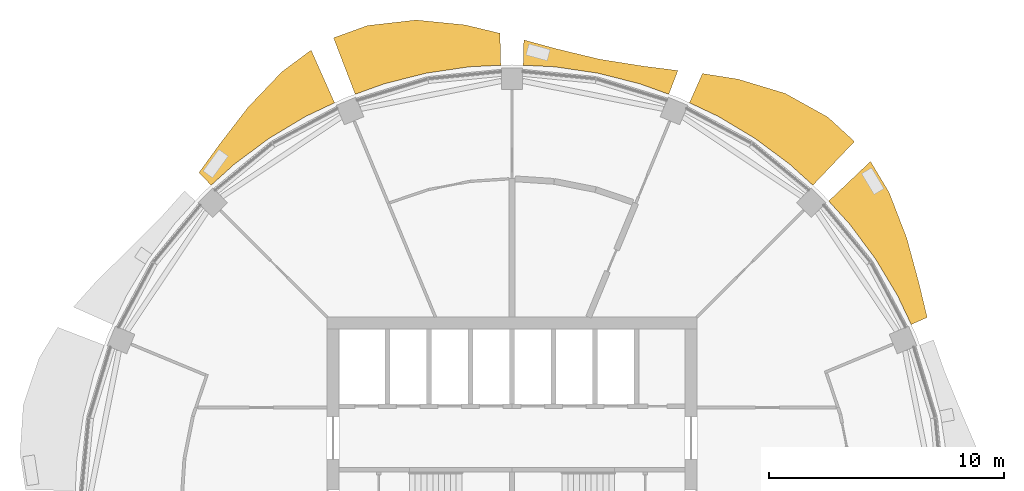
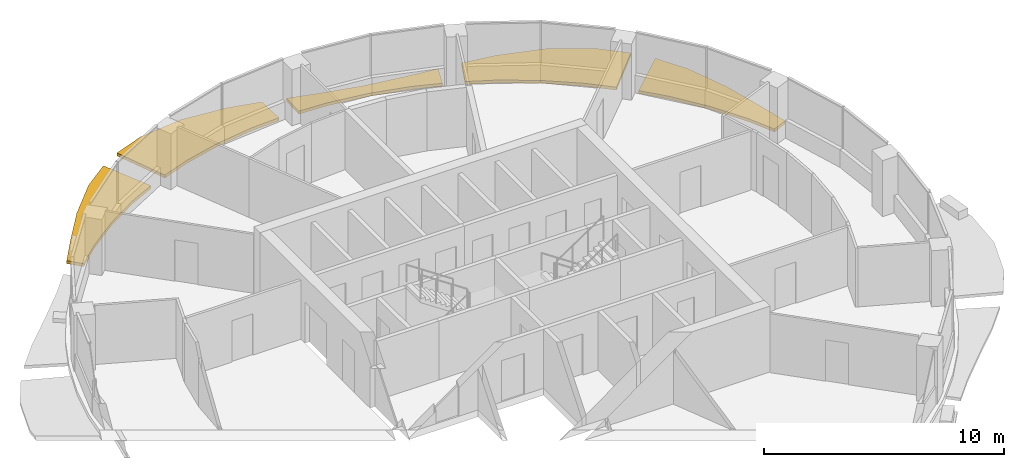
# One storey, part 14 of 15: 5 shading devices.
"""IFC4 building model written with IfcOpenShell, lengths in metres."""

from ifc_helpers import new_model, si_unit, direction, frame, origin, place, context, subcontext, project, spatial, polyline, outline, extrude, material, type_object, element, save


model = new_model("IFC4")

# Units and contexts
model_context = context("Model", 3, precision=1e-05, world=origin(), true_north=direction((0.0, 1.0)))
body_context = subcontext(model_context, "Body", "Model", "MODEL_VIEW")
ifc_project = project(units=[si_unit("LENGTHUNIT", "METRE"), si_unit("AREAUNIT", "SQUARE_METRE"), si_unit("VOLUMEUNIT", "CUBIC_METRE"), si_unit("PLANEANGLEUNIT", "RADIAN"), si_unit("MASSUNIT", "GRAM", prefix="KILO")], contexts=[model_context])

# Site, building, storey
site_placement = place(None, origin())
site = spatial("IfcSite", under=ifc_project, at=site_placement, CompositionType="ELEMENT")
building_placement = place(site_placement, origin())
building = spatial("IfcBuilding", under=site, at=building_placement, Name="Polderwave Tower", CompositionType="ELEMENT")
storey_placement = place(building_placement, frame((0.0, 0.0, 180.949951171875)))
storey = spatial("IfcBuildingStorey", under=building, at=storey_placement, Name="L48", CompositionType="ELEMENT", Elevation=180.949951171875)

# Shading devices
ifc_material = material(Name="Terracotta", Category="masonry")
shading_device_type = type_object("IfcShadingDeviceType", Name="Terracotta sunshade band", PredefinedType="USERDEFINED", material=ifc_material)
shading_device_1_placement = place(storey_placement, frame((0.0, 0.0, -0.349853515625)))
element("IfcShadingDevice", 1, at=shading_device_1_placement, inside=storey, type_object=shading_device_type, Name="Sunshade band L48 2", ObjectType="SUNSHADE", PredefinedType="USERDEFINED", context=body_context, shape_type="SweptSolid", body=[
    extrude(outline(polyline([(16.998779296875, 7.556640625), (16.42138671875, 8.77734375), (15.48193359375, 10.3447265625), (14.3935546875, 11.8125), (13.486572265625, 12.81298828125), (15.265625, 14.503173828125), (16.05908203125, 13.17919921875), (16.8115234375, 11.233154296875), (17.341796875, 9.269287109375), (17.679443359375, 7.859375), (16.998779296875, 7.556640625)])), origin(), (0.0, 0.0, 1.0), 0.14990234375),
])
shading_device_2_placement = place(storey_placement, frame((0.0, 0.0, -0.349853515625)))
element("IfcShadingDevice", 2, at=shading_device_2_placement, inside=storey, type_object=shading_device_type, Name="Sunshade band L48 3", ObjectType="SUNSHADE", PredefinedType="USERDEFINED", context=body_context, shape_type="SweptSolid", body=[
    extrude(outline(polyline([(12.81298828125, 13.486572265625), (11.8125, 14.3935546875), (10.3447265625, 15.48193359375), (8.77734375, 16.42138671875), (7.556640625, 16.998779296875), (8.11083984375, 18.245361328125), (9.6240234375, 18.00537109375), (11.626953125, 17.40087890625), (13.44970703125, 16.388671875), (14.583984375, 15.3505859375), (12.81298828125, 13.486572265625)])), origin(), (0.0, 0.0, 1.0), 0.14990234375),
])
shading_device_3_placement = place(storey_placement, frame((0.0, 0.0, -0.349853515625)))
element("IfcShadingDevice", 3, at=shading_device_3_placement, inside=storey, type_object=shading_device_type, Name="Sunshade band L48 4", ObjectType="SUNSHADE", PredefinedType="USERDEFINED", context=body_context, shape_type="SweptSolid", body=[
    extrude(outline(polyline([(6.676513671875, 17.36328125), (5.405029296875, 17.818115234375), (3.632568359375, 18.26220703125), (1.8251953125, 18.5302734375), (0.476318359375, 18.5966796875), (0.50390625, 19.67578125), (1.900390625, 19.294677734375), (3.74951171875, 18.8505859375), (5.62841796875, 18.55419921875), (7.064697265625, 18.37255859375), (6.676513671875, 17.36328125)])), origin(), (0.0, 0.0, 1.0), 0.14990234375),
])
shading_device_4_placement = place(storey_placement, frame((0.0, 0.0, -0.349853515625)))
element("IfcShadingDevice", 4, at=shading_device_4_placement, inside=storey, type_object=shading_device_type, Name="Sunshade band L48 5", ObjectType="SUNSHADE", PredefinedType="USERDEFINED", context=body_context, shape_type="SweptSolid", body=[
    extrude(outline(polyline([(-0.476318359375, 18.5966796875), (-1.8251953125, 18.5302734375), (-3.632568359375, 18.26220703125), (-5.405029296875, 17.818115234375), (-6.676513671875, 17.36328125), (-7.599609375, 19.763671875), (-6.154296875, 20.28759765625), (-4.08251953125, 20.5244140625), (-2.0009765625, 20.31591796875), (-0.51123046875, 19.95849609375), (-0.476318359375, 18.5966796875)])), origin(), (0.0, 0.0, 1.0), 0.14990234375),
])
shading_device_5_placement = place(storey_placement, frame((0.0, 0.0, -0.349853515625)))
element("IfcShadingDevice", 5, at=shading_device_5_placement, inside=storey, type_object=shading_device_type, Name="Sunshade band L48 6", ObjectType="SUNSHADE", PredefinedType="USERDEFINED", context=body_context, shape_type="SweptSolid", body=[
    extrude(outline(polyline([(-7.556640625, 16.998779296875), (-8.77734375, 16.42138671875), (-10.3447265625, 15.48193359375), (-11.8125, 14.3935546875), (-12.81298828125, 13.486572265625), (-13.326904296875, 14.027587890625), (-12.4755859375, 15.201416015625), (-11.234130859375, 16.813232421875), (-9.7939453125, 18.3232421875), (-8.553955078125, 19.241943359375), (-7.556640625, 16.998779296875)])), origin(), (0.0, 0.0, 1.0), 0.14990234375),
])

save(model, "model.ifc")
